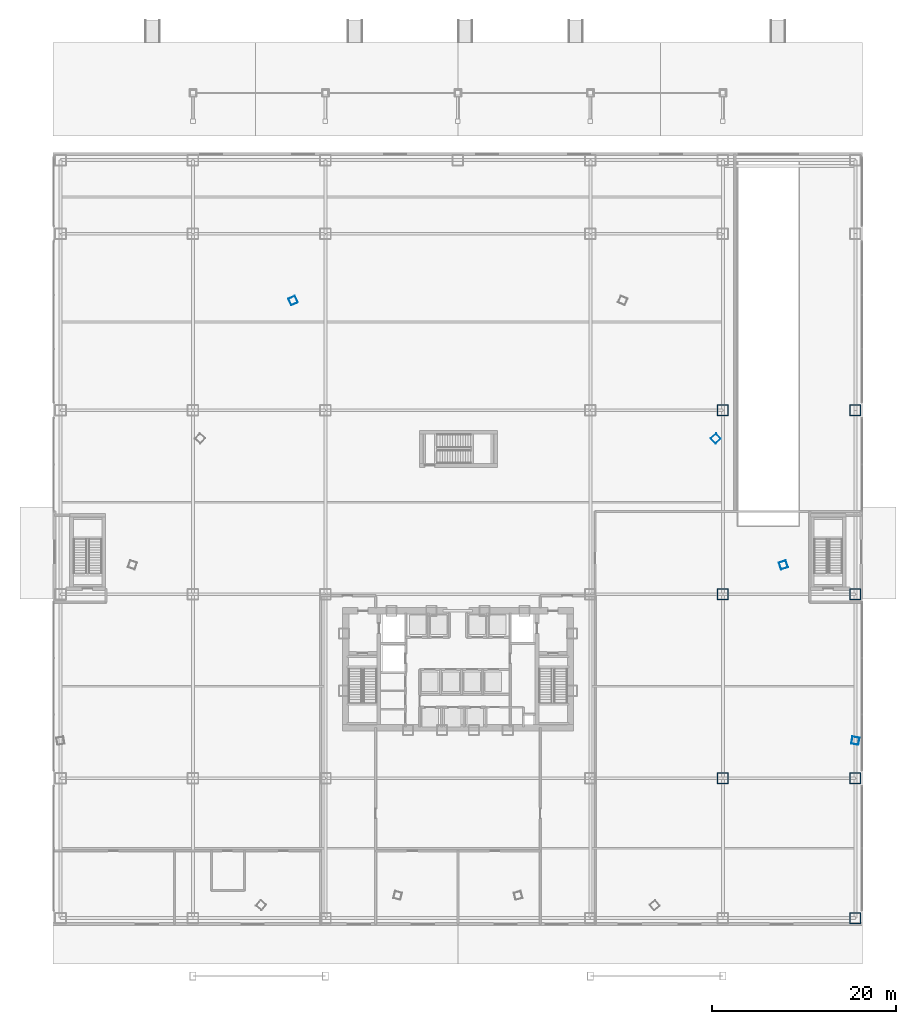
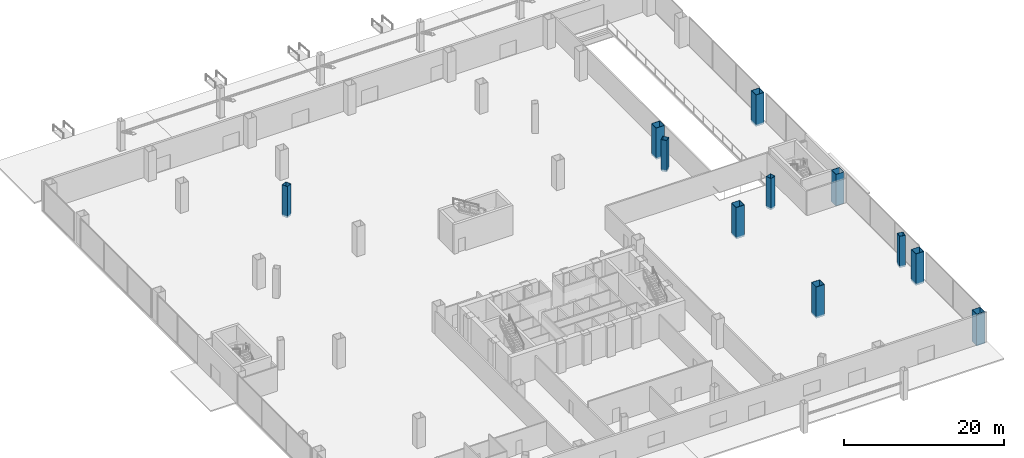
# One storey, part 2 of 58: 11 columns.
"""IFC4 building model written with IfcOpenShell, lengths in metres."""

from ifc_helpers import new_model, si_unit, direction, frame, origin, origin_2d, place, context, subcontext, project, spatial, hollow_rectangle, extrude, source, transform, mapped, material, material_profile, profile_set, type_object, element, save


model = new_model("IFC4")

# Units and contexts
model_context = context("Model", 3, precision=1e-05, world=origin(), true_north=direction((0.0, 1.0)))
body_context = subcontext(model_context, "Body", "Model", "MODEL_VIEW")
ifc_project = project(units=[si_unit("LENGTHUNIT", "METRE"), si_unit("AREAUNIT", "SQUARE_METRE"), si_unit("VOLUMEUNIT", "CUBIC_METRE"), si_unit("PLANEANGLEUNIT", "RADIAN"), si_unit("MASSUNIT", "GRAM", prefix="KILO"), si_unit("THERMODYNAMICTEMPERATUREUNIT", "KELVIN"), si_unit("POWERUNIT", "WATT")], contexts=[model_context])

# Site, building, storey
site_placement = place(None, origin())
site = spatial("IfcSite", under=ifc_project, at=site_placement, CompositionType="ELEMENT")
building_placement = place(site_placement, origin())
building = spatial("IfcBuilding", under=site, at=building_placement, Name="Yunzhuo Pagoda Commons", CompositionType="ELEMENT")
storey_placement = place(building_placement, origin())
storey = spatial("IfcBuildingStorey", under=building, at=storey_placement, Name="L01", CompositionType="ELEMENT", Elevation=0.0)

# Columns
ifc_material = material(Name="Structural steel Q420B", Category="steel")
ifc_material_profile_1 = material_profile(ifc_material, hollow_rectangle(XDim=1.199951171875, YDim=1.199951171875, WallThickness=0.050048828125, at=origin_2d()), Name="Structural steel Q420B")
ifc_profile_set_1 = profile_set([ifc_material_profile_1], Name="Structural steel Q420B")
column_type_1 = type_object("IfcColumnType", Name="C-POD Column BOX 1200x1200x50", PredefinedType="COLUMN", material=ifc_profile_set_1)
shared_shape_1 = source(origin(), body_context, "Body", "SweptSolid", [
    extrude(hollow_rectangle(XDim=1.199951171875, YDim=1.199951171875, WallThickness=0.050048828125, at=origin_2d()), origin(), (0.0, 0.0, 1.0), 4.80029296875),
])
for number, where, z_axis, x_axis, name in (
    (1, (76.800048828125, 22.0, -0.280029296875), (0.0, 0.0, 1.0), (1.0, 0.0, 0.0), "L01 podium column P5_2"),
    (2, (76.800048828125, 42.0, -0.280029296875), (0.0, 0.0, 1.0), (1.0, 0.0, 0.0), "L01 podium column P5_3"),
    (3, (76.800048828125, 62.0, -0.280029296875), (0.0, 0.0, 1.0), (1.0, 0.0, 0.0), "L01 podium column P5_4"),
    (4, (91.199951171875, 6.800048828125, -0.280029296875), (0.0, 0.0, 1.0), (1.0, 0.0, 0.0), "L01 podium column P6_1"),
    (5, (91.199951171875, 22.0, -0.280029296875), (0.0, 0.0, 1.0), (1.0, 0.0, 0.0), "L01 podium column P6_2"),
    (6, (91.199951171875, 42.0, -0.280029296875), (0.0, 0.0, 1.0), (1.0, 0.0, 0.0), "L01 podium column P6_3"),
    (7, (91.199951171875, 62.0, -0.280029296875), (0.0, 0.0, 1.0), (1.0, 0.0, 0.0), "L01 podium column P6_4"),
):
    element("IfcColumn", number, at=place(storey_placement, frame(where, z_axis=z_axis, x_axis=x_axis)), inside=storey, type_object=column_type_1, Name=name, PredefinedType="COLUMN", context=body_context, shape_type="MappedRepresentation", body=[
        mapped(shared_shape_1, transform((0.0, 0.0, 0.0), scale=1.0)),
    ])
ifc_material_profile_2 = material_profile(ifc_material, hollow_rectangle(XDim=0.800048828125, YDim=0.800048828125, WallThickness=0.031982421875, at=origin_2d()), Name="Structural steel Q420B")
ifc_profile_set_2 = profile_set([ifc_material_profile_2], Name="Structural steel Q420B")
column_type_2 = type_object("IfcColumnType", Name="C-BUT Column BOX 800x800x32", PredefinedType="COLUMN", material=ifc_profile_set_2)
shared_shape_2 = source(origin(), body_context, "Body", "SweptSolid", [
    extrude(hollow_rectangle(XDim=0.800048828125, YDim=0.800048828125, WallThickness=0.031982421875, at=origin_2d()), origin(), (0.0, 0.0, 1.0), 4.80029296875),
])
for number, where, z_axis, x_axis, name in (
    (8, (91.198974609375, 26.0830078125, -0.280029296875), (0.0, 0.0, 1.0), (0.173648177667, 0.984807753012, 0.0), "L01 podium transfer support column PR_F2C1"),
    (9, (83.37890625, 45.195556640625, -0.280029296875), (0.0, 0.0, 1.0), (-0.309016994375, 0.951056516295, 0.0), "L01 podium transfer support column PR_F2C2"),
    (10, (76.027099609375, 58.935302734375, -0.280029296875), (0.0, 0.0, 1.0), (-0.669130606359, 0.743144825477, 0.0), "L01 podium transfer support column PR_F2C3"),
    (11, (30.087890625, 73.931884765625, -0.280029296875), (0.0, 0.0, 1.0), (-0.913545457643, -0.406736643076, 0.0), "L01 podium transfer support column PR_F3C1"),
):
    element("IfcColumn", number, at=place(storey_placement, frame(where, z_axis=z_axis, x_axis=x_axis)), inside=storey, type_object=column_type_2, Name=name, PredefinedType="COLUMN", context=body_context, shape_type="MappedRepresentation", body=[
        mapped(shared_shape_2, transform((0.0, 0.0, 0.0), scale=1.0)),
    ])

save(model, "model.ifc")
